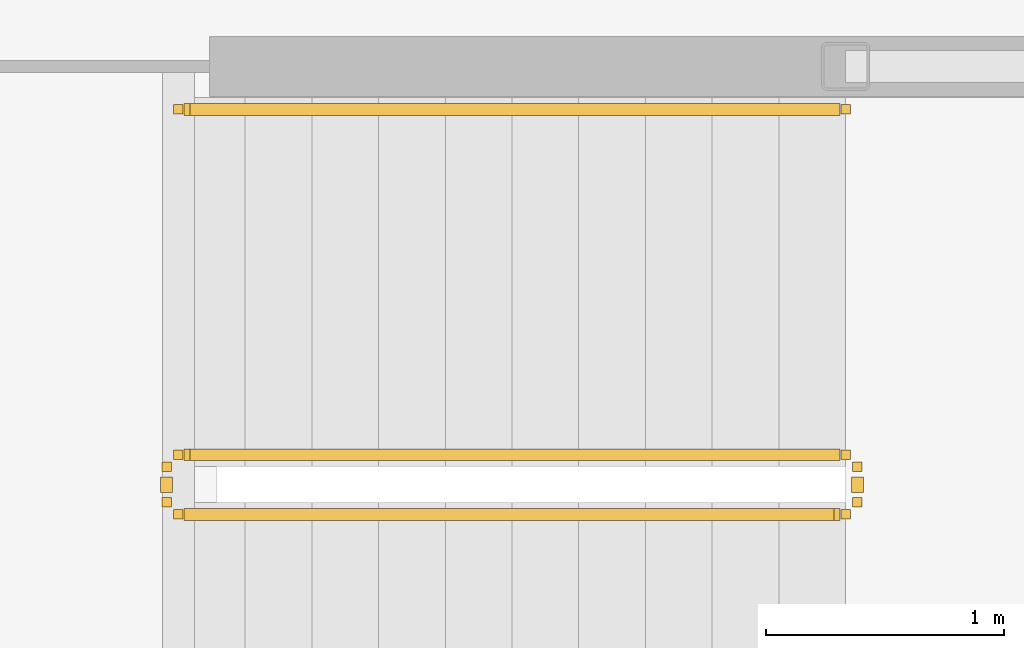
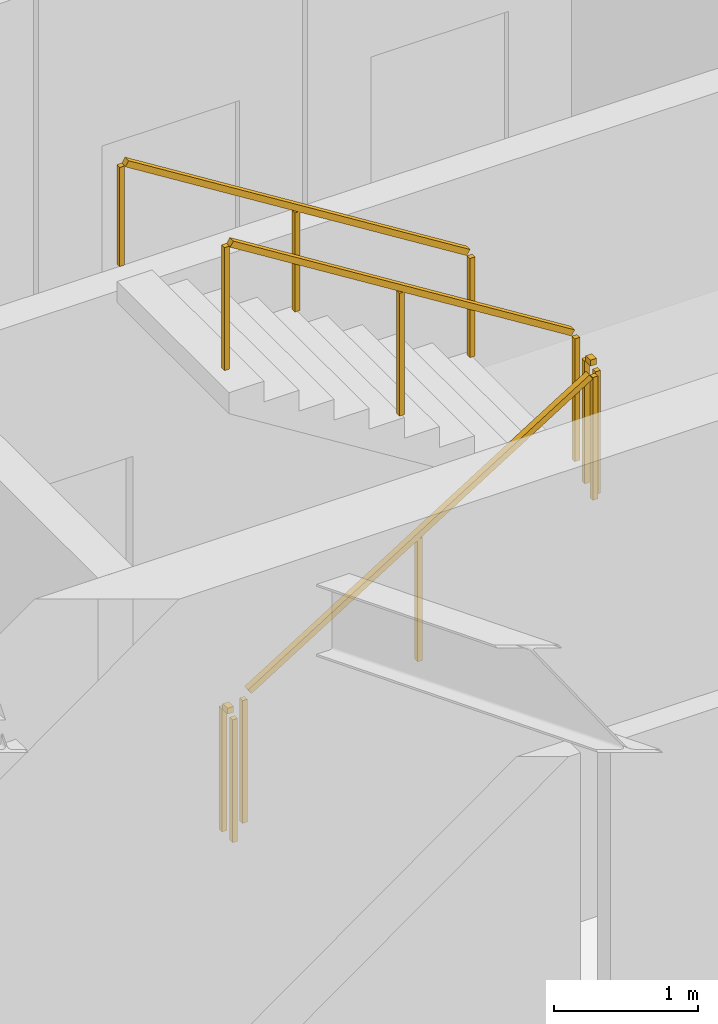
# One storey, part 26 of 29: 5 railings.
"""IFC4 building model written with IfcOpenShell, lengths in metres."""

from ifc_helpers import new_model, si_unit, direction, frame, origin, origin_2d, place, context, subcontext, project, spatial, rectangle, extrude, material, type_object, element, save


model = new_model("IFC4")

# Units and contexts
model_context = context("Model", 3, precision=1e-05, world=origin(), true_north=direction((0.0, 1.0)))
body_context = subcontext(model_context, "Body", "Model", "MODEL_VIEW")
ifc_project = project(units=[si_unit("LENGTHUNIT", "METRE"), si_unit("AREAUNIT", "SQUARE_METRE"), si_unit("VOLUMEUNIT", "CUBIC_METRE"), si_unit("PLANEANGLEUNIT", "RADIAN"), si_unit("MASSUNIT", "GRAM", prefix="KILO")], contexts=[model_context])

# Site, building, storey
site_placement = place(None, origin())
site = spatial("IfcSite", under=ifc_project, at=site_placement, CompositionType="ELEMENT")
building_placement = place(site_placement, origin())
building = spatial("IfcBuilding", under=site, at=building_placement, Name="Kazma Halo Residences", CompositionType="ELEMENT")
storey_placement = place(building_placement, frame((0.0, 0.0, 282.89990234375)))
storey = spatial("IfcBuildingStorey", under=building, at=storey_placement, Name="L71", CompositionType="ELEMENT", Elevation=282.89990234375)

# Railings
ifc_material_1 = material(Name="Painted Steel S355", Category="steel")
railing_type_1 = type_object("IfcRailingType", Name="RLG-STAIR-GRD-1100", PredefinedType="GUARDRAIL", material=ifc_material_1)
railing_1_placement = place(storey_placement, frame((53.199951171875, 35.5, 0.175048828125)))
element("IfcRailing", 1, at=railing_1_placement, inside=storey, type_object=railing_type_1, Name="L71 ST-03 stair guard 1", PredefinedType="GUARDRAIL", context=body_context, shape_type="SweptSolid", body=[
    extrude(rectangle(XDim=0.050048828125, YDim=0.050048828125, at=origin_2d()), frame((0.0361328125, 0.0, 1.09765625), z_axis=(0.848002457836, 0.0, 0.529992293815), x_axis=(0.0, 1.0, 0.0)), (0.0, 0.0, 1.0), 3.216796875),
    extrude(rectangle(XDim=0.0400390625, YDim=0.0400390625, at=origin_2d()), origin(), (0.0, 0.0, 1.0), 1.0380859375),
    extrude(rectangle(XDim=0.0400390625, YDim=0.0400390625, at=origin_2d()), frame((1.39990234375, 0.0, 0.875)), (0.0, 0.0, 1.0), 1.0380859375),
    extrude(rectangle(XDim=0.0400390625, YDim=0.0400390625, at=origin_2d()), frame((2.800048828125, 0.0, 1.75)), (0.0, 0.0, 1.0), 1.0380859375),
])
railing_2_placement = place(storey_placement, frame((56.050048828125, 35.550048828125, 1.925048828125)))
element("IfcRailing", 2, at=railing_2_placement, inside=storey, type_object=railing_type_1, Name="L71 ST-03 stair guard 2", PredefinedType="GUARDRAIL", context=body_context, shape_type="SweptSolid", body=[
    extrude(rectangle(XDim=0.050048828125, YDim=0.050048828125, at=origin_2d()), frame((0.0, 0.04248046875, 1.0751953125), z_axis=(0.0, 1.0, 0.0), x_axis=(-1.0, 0.0, 0.0)), (0.0, 0.0, 1.0), 0.06494140625),
    extrude(rectangle(XDim=0.0400390625, YDim=0.0400390625, at=origin_2d()), origin(), (0.0, 0.0, 1.0), 1.0380859375),
    extrude(rectangle(XDim=0.0400390625, YDim=0.0400390625, at=origin_2d()), frame((0.0, 0.14990234375, 0.0)), (0.0, 0.0, 1.0), 1.0380859375),
])
railing_3_placement = place(storey_placement, frame((56.0, 35.75, 2.10009765625)))
element("IfcRailing", 3, at=railing_3_placement, inside=storey, type_object=railing_type_1, Name="L71 ST-03 stair guard 3", PredefinedType="GUARDRAIL", context=body_context, shape_type="SweptSolid", body=[
    extrude(rectangle(XDim=0.050048828125, YDim=0.050048828125, at=origin_2d()), frame((-0.0361328125, 0.0, 1.09765625), z_axis=(-0.848002457836, 0.0, 0.529992293815), x_axis=(0.0, -1.0, 0.0)), (0.0, 0.0, 1.0), 3.216796875),
    extrude(rectangle(XDim=0.0400390625, YDim=0.0400390625, at=origin_2d()), origin(), (0.0, 0.0, 1.0), 1.0380859375),
    extrude(rectangle(XDim=0.0400390625, YDim=0.0400390625, at=origin_2d()), frame((-1.39990234375, 0.0, 0.875)), (0.0, 0.0, 1.0), 1.0380859375),
    extrude(rectangle(XDim=0.0400390625, YDim=0.0400390625, at=origin_2d()), frame((-2.800048828125, 0.0, 1.75)), (0.0, 0.0, 1.0), 1.0380859375),
])
railing_4_placement = place(storey_placement, frame((53.14990234375, 35.550048828125, 0.0)))
element("IfcRailing", 4, at=railing_4_placement, inside=storey, type_object=railing_type_1, Name="L71 ST-03 stair guard 4", PredefinedType="GUARDRAIL", context=body_context, shape_type="SweptSolid", body=[
    extrude(rectangle(XDim=0.050048828125, YDim=0.050048828125, at=origin_2d()), frame((0.0, 0.04248046875, 1.0751953125), z_axis=(0.0, 1.0, 0.0), x_axis=(-1.0, 0.0, 0.0)), (0.0, 0.0, 1.0), 0.06494140625),
    extrude(rectangle(XDim=0.0400390625, YDim=0.0400390625, at=origin_2d()), origin(), (0.0, 0.0, 1.0), 1.0380859375),
    extrude(rectangle(XDim=0.0400390625, YDim=0.0400390625, at=origin_2d()), frame((0.0, 0.14990234375, 0.0)), (0.0, 0.0, 1.0), 1.0380859375),
])
ifc_material_2 = material(Name="Brushed Stainless Steel", Category="steel")
railing_type_2 = type_object("IfcRailingType", Name="RLG-STAIR-HND-900", PredefinedType="HANDRAIL", material=ifc_material_2)
railing_5_placement = place(storey_placement, frame((56.0, 37.199951171875, 2.10009765625)))
element("IfcRailing", 5, at=railing_5_placement, inside=storey, type_object=railing_type_2, Name="L71 ST-03 stair handrail 2", PredefinedType="HANDRAIL", context=body_context, shape_type="SweptSolid", body=[
    extrude(rectangle(XDim=0.050048828125, YDim=0.050048828125, at=origin_2d()), frame((-0.0361328125, 0.0, 0.8974609375), z_axis=(-0.848002457836, 0.0, 0.529992293815), x_axis=(0.0, -1.0, 0.0)), (0.0, 0.0, 1.0), 3.216796875),
    extrude(rectangle(XDim=0.0400390625, YDim=0.0400390625, at=origin_2d()), origin(), (0.0, 0.0, 1.0), 0.837890625),
    extrude(rectangle(XDim=0.0400390625, YDim=0.0400390625, at=origin_2d()), frame((-1.39990234375, 0.0, 0.875)), (0.0, 0.0, 1.0), 0.837890625),
    extrude(rectangle(XDim=0.0400390625, YDim=0.0400390625, at=origin_2d()), frame((-2.800048828125, 0.0, 1.75)), (0.0, 0.0, 1.0), 0.837890625),
])

save(model, "model.ifc")
